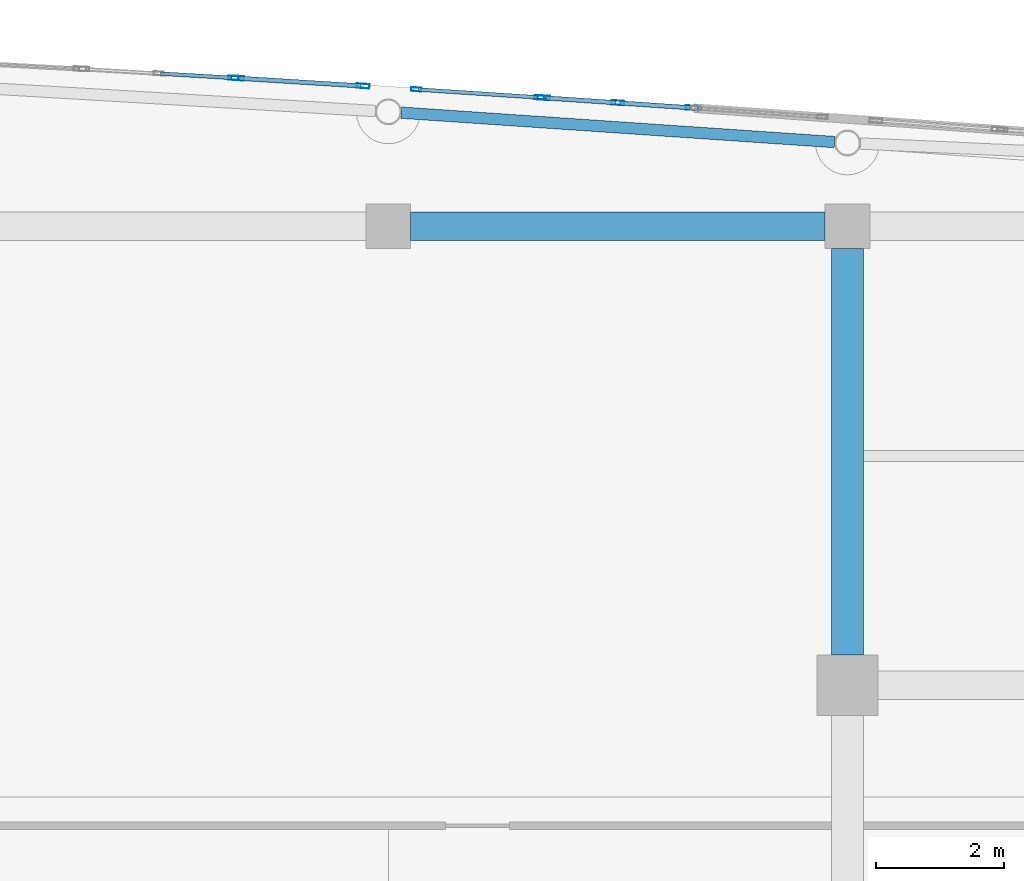
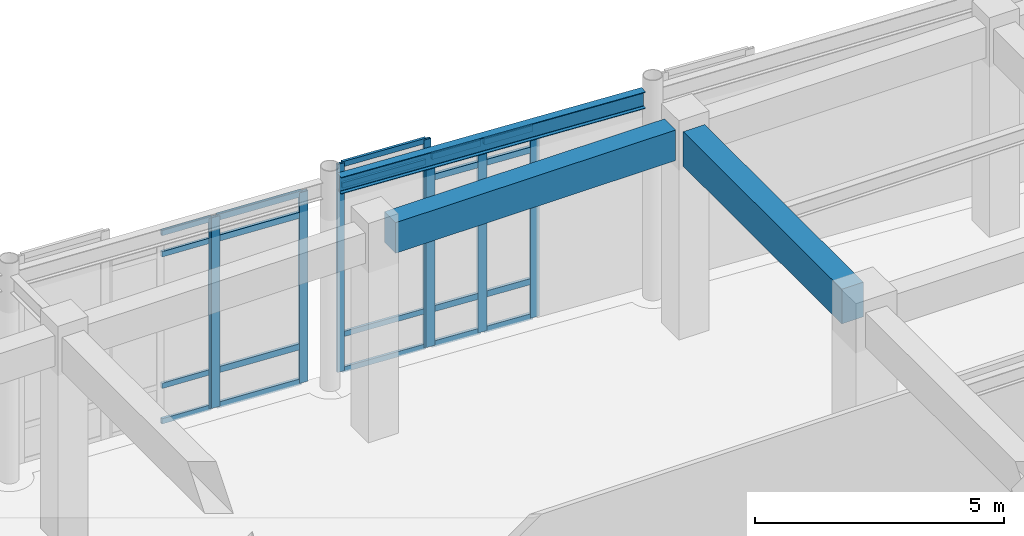
# One storey, part 51 of 102: 28 members, 3 beams, 4 elements without a shape of their own.
"""IFC4 building model written with IfcOpenShell, lengths in metres."""

from ifc_helpers import new_model, si_unit, direction, frame, origin, origin_2d, place, context, subcontext, project, spatial, rectangle, hollow_rectangle, i_section, extrude, material, layer, layer_set, material_profile, profile_set, type_object, element, aggregate, save


model = new_model("IFC4")

# Units and contexts
model_context = context("Model", 3, precision=1e-05, world=origin(), true_north=direction((0.0, 1.0)))
body_context = subcontext(model_context, "Body", "Model", "MODEL_VIEW")
ifc_project = project(units=[si_unit("LENGTHUNIT", "METRE"), si_unit("AREAUNIT", "SQUARE_METRE"), si_unit("VOLUMEUNIT", "CUBIC_METRE"), si_unit("PLANEANGLEUNIT", "RADIAN"), si_unit("MASSUNIT", "GRAM", prefix="KILO")], contexts=[model_context])

# Site, building, storey
site_placement = place(None, origin())
site = spatial("IfcSite", under=ifc_project, at=site_placement, CompositionType="ELEMENT")
building_placement = place(site_placement, origin())
building = spatial("IfcBuilding", under=site, at=building_placement, Name="Carrowvane Square Congress Hotel", CompositionType="ELEMENT")
storey_placement = place(building_placement, origin())
storey = spatial("IfcBuildingStorey", under=building, at=storey_placement, Name="L00", CompositionType="ELEMENT", Elevation=0.0)

# Beams
ifc_material_1 = material(Name="Concrete C35/45", Category="concrete")
ifc_material_profile_1 = material_profile(ifc_material_1, rectangle(XDim=0.449951171875, YDim=0.75, at=origin_2d()), Name="RC 450x750")
ifc_profile_set_1 = profile_set([ifc_material_profile_1], Name="Concrete C35/45")
beam_type_1 = type_object("IfcBeamType", Name="BM-RC-450x750", PredefinedType="USERDEFINED", material=ifc_profile_set_1)
beam_1_placement = place(storey_placement, frame((127.14990234375, 113.39990234375, 4.72509765625), z_axis=(1.0, 0.0, 0.0), x_axis=(0.0, 1.0, 0.0)))
element("IfcBeam", 1, at=beam_1_placement, inside=storey, type_object=beam_type_1, Name="L01 girder R/17-18", ObjectType="GIRDER", PredefinedType="USERDEFINED", context=body_context, shape_type="SweptSolid", body=[
    extrude(rectangle(XDim=0.449951171875, YDim=0.75, at=origin_2d()), origin(), (0.0, 0.0, 1.0), 6.5),
])
ifc_material_2 = material(Name="Concrete C35/45", Category="concrete")
ifc_material_profile_2 = material_profile(ifc_material_2, rectangle(XDim=0.5, YDim=0.85009765625, at=origin_2d()), Name="RC 500x850")
ifc_profile_set_2 = profile_set([ifc_material_profile_2], Name="Concrete C35/45")
beam_type_2 = type_object("IfcBeamType", Name="BM-RC-500x850", PredefinedType="USERDEFINED", material=ifc_profile_set_2)
beam_2_placement = place(storey_placement, frame((134.0, 106.675048828125, 4.675048828125), z_axis=(0.0, 1.0, 0.0), x_axis=(-1.0, 0.0, 0.0)))
element("IfcBeam", 2, at=beam_2_placement, inside=storey, type_object=beam_type_2, Name="L01 girder 18/Q-R", ObjectType="GIRDER", PredefinedType="USERDEFINED", context=body_context, shape_type="SweptSolid", body=[
    extrude(rectangle(XDim=0.5, YDim=0.85009765625, at=origin_2d()), origin(), (0.0, 0.0, 1.0), 6.375),
])
ifc_material_3 = material(Name="Steel S355", Category="steel")
ifc_material_profile_3 = material_profile(ifc_material_3, i_section(OverallWidth=0.1787109375, OverallDepth=0.409423828125, WebThickness=0.0087890625, FlangeThickness=0.014404296875, FilletRadius=0.01025390625, at=origin_2d()), Name="UKB 406x178x67")
ifc_profile_set_3 = profile_set([ifc_material_profile_3], Name="Steel S355")
beam_type_3 = type_object("IfcBeamType", Name="BM-ST-UKB406", PredefinedType="BEAM", material=ifc_profile_set_3)
beam_3_placement = place(storey_placement, frame((127.002685546875, 115.1806640625, 4.895263671875), z_axis=(0.997706912919, -0.067682463857, 0.0), x_axis=(0.067682463857, 0.997706912919, 0.0)))
element("IfcBeam", 3, at=beam_3_placement, inside=storey, type_object=beam_type_3, Name="L01 curved north spandrel", PredefinedType="BEAM", context=body_context, shape_type="SweptSolid", body=[
    extrude(i_section(OverallWidth=0.1787109375, OverallDepth=0.409423828125, WebThickness=0.0087890625, FlangeThickness=0.014404296875, FilletRadius=0.01025390625, at=origin_2d()), origin(), (0.0, 0.0, 1.0), 6.810302734375),
])

# Curtain wall, member
ifc_material_4 = material(Name="Anodised aluminium", Category="aluminium")
ifc_layer_1 = layer(ifc_material_4, 0.2099609375)
ifc_layer_set_1 = layer_set([ifc_layer_1], Name="Anodised aluminium")
curtain_wall_type_1 = type_object("IfcCurtainWallType", Name="CW-SYS-5", PredefinedType="NOTDEFINED", material=ifc_layer_set_1)
curtain_wall_1_placement = place(storey_placement, origin())
curtain_wall_1 = element("IfcCurtainWall", 4, at=curtain_wall_1_placement, inside=storey, type_object=curtain_wall_type_1, Name="L00 unitised curtain wall 36", PredefinedType="NOTDEFINED")
ifc_material_5 = material(Name="Anodised aluminium", Category="aluminium")
ifc_material_profile_4 = material_profile(ifc_material_5, hollow_rectangle(XDim=0.06005859375, YDim=0.159912109375, WallThickness=0.00390625, at=origin_2d()), Name="CW-ML 60x160x4")
ifc_profile_set_4 = profile_set([ifc_material_profile_4], Name="Anodised aluminium")
member_type_1 = type_object("IfcMemberType", Name="CW-MUL-1", PredefinedType="MULLION", material=ifc_profile_set_4)
member_1_placement = place(storey_placement, frame((124.3701171875, 115.72607421875, 0.0), z_axis=(0.0, 0.0, 1.0), x_axis=(0.058851249486, 0.998266763162, 0.0)))
member_1 = element("IfcMember", 5, at=member_1_placement, type_object=member_type_1, Name="CW-5 mullion 3", PredefinedType="MULLION", context=body_context, shape_type="SweptSolid", body=[
    extrude(hollow_rectangle(XDim=0.06005859375, YDim=0.159912109375, WallThickness=0.00390625, at=origin_2d()), origin(), (0.0, 0.0, 1.0), 4.675537109375),
])

# Curtain wall, members
ifc_material_6 = material(Name="Anodised aluminium", Category="aluminium")
ifc_layer_2 = layer(ifc_material_6, 0.23388671875)
ifc_layer_set_2 = layer_set([ifc_layer_2], Name="Anodised aluminium")
curtain_wall_type_2 = type_object("IfcCurtainWallType", Name="CW-SYS-7", PredefinedType="NOTDEFINED", material=ifc_layer_set_2)
curtain_wall_2_placement = place(storey_placement, origin())
curtain_wall_2 = element("IfcCurtainWall", 6, at=curtain_wall_2_placement, inside=storey, type_object=curtain_wall_type_2, Name="L00 unitised curtain wall 38", PredefinedType="NOTDEFINED")
member_2_placement = place(storey_placement, frame((127.23828125, 115.545654296875, 0.0), z_axis=(0.0, 0.0, 1.0), x_axis=(0.065413941589, 0.9978582145, 0.0)))
member_2 = element("IfcMember", 7, at=member_2_placement, type_object=member_type_1, Name="CW-7 mullion 1", PredefinedType="MULLION", context=body_context, shape_type="SweptSolid", body=[
    extrude(hollow_rectangle(XDim=0.06005859375, YDim=0.159912109375, WallThickness=0.00390625, at=origin_2d()), origin(), (0.0, 0.0, 1.0), 5.10009765625),
])
member_3_placement = place(storey_placement, frame((129.170166015625, 115.4189453125, 0.0), z_axis=(0.0, 0.0, 1.0), x_axis=(0.065413941589, 0.9978582145, 0.0)))
member_3 = element("IfcMember", 8, at=member_3_placement, type_object=member_type_1, Name="CW-7 mullion 2", PredefinedType="MULLION", context=body_context, shape_type="SweptSolid", body=[
    extrude(hollow_rectangle(XDim=0.06005859375, YDim=0.159912109375, WallThickness=0.00390625, at=origin_2d()), origin(), (0.0, 0.0, 1.0), 5.10009765625),
])

ifc_material_7 = material(Name="Anodised aluminium", Category="aluminium")
ifc_layer_3 = layer(ifc_material_7, 0.221923828125)
ifc_layer_set_3 = layer_set([ifc_layer_3], Name="Anodised aluminium")
curtain_wall_type_3 = type_object("IfcCurtainWallType", Name="CW-SYS-6", PredefinedType="NOTDEFINED", material=ifc_layer_set_3)
curtain_wall_3_placement = place(storey_placement, origin())
curtain_wall_3 = element("IfcCurtainWall", 9, at=curtain_wall_3_placement, inside=storey, type_object=curtain_wall_type_3, Name="L00 unitised curtain wall 37", PredefinedType="NOTDEFINED")
ifc_material_8 = material(Name="Anodised aluminium", Category="aluminium")
ifc_material_profile_5 = material_profile(ifc_material_8, hollow_rectangle(XDim=0.070068359375, YDim=0.199951171875, WallThickness=0.0048828125, at=origin_2d()), Name="CW-ML 70x200x5")
ifc_profile_set_5 = profile_set([ifc_material_profile_5], Name="Anodised aluminium")
member_type_2 = type_object("IfcMemberType", Name="CW-MUL-2", PredefinedType="MULLION", material=ifc_profile_set_5)
member_4_placement = place(storey_placement, frame((124.434814453125, 115.72216796875, 0.0), z_axis=(0.0, 0.0, 1.0), x_axis=(0.062397170272, 0.998051398046, 0.0)))
member_4 = element("IfcMember", 10, at=member_4_placement, type_object=member_type_2, Name="CW-6 mullion 1", PredefinedType="MULLION", context=body_context, shape_type="SweptSolid", body=[
    extrude(hollow_rectangle(XDim=0.070068359375, YDim=0.199951171875, WallThickness=0.0048828125, at=origin_2d()), origin(), (0.0, 0.0, 1.0), 4.675537109375),
])
member_5_placement = place(storey_placement, frame((126.405029296875, 115.598876953125, 0.0), z_axis=(0.0, 0.0, 1.0), x_axis=(0.062397170272, 0.998051398046, 0.0)))
member_5 = element("IfcMember", 11, at=member_5_placement, type_object=member_type_2, Name="CW-6 mullion 2", PredefinedType="MULLION", context=body_context, shape_type="SweptSolid", body=[
    extrude(hollow_rectangle(XDim=0.070068359375, YDim=0.199951171875, WallThickness=0.0048828125, at=origin_2d()), origin(), (0.0, 0.0, 1.0), 4.675537109375),
])

ifc_material_9 = material(Name="Anodised aluminium", Category="aluminium")
ifc_layer_4 = layer(ifc_material_9, 0.24609375)
ifc_layer_set_4 = layer_set([ifc_layer_4], Name="Anodised aluminium")
curtain_wall_type_4 = type_object("IfcCurtainWallType", Name="CW-SYS-8", PredefinedType="NOTDEFINED", material=ifc_layer_set_4)
curtain_wall_4_placement = place(storey_placement, origin())
curtain_wall_4 = element("IfcCurtainWall", 12, at=curtain_wall_4_placement, inside=storey, type_object=curtain_wall_type_4, Name="L00 unitised curtain wall 39", PredefinedType="NOTDEFINED")
member_6_placement = place(storey_placement, frame((129.23486328125, 115.41455078125, 0.0), z_axis=(0.0, 0.0, 1.0), x_axis=(0.067869562107, 0.99769420292, 0.0)))
member_6 = element("IfcMember", 13, at=member_6_placement, type_object=member_type_2, Name="CW-8 mullion 1", PredefinedType="MULLION", context=body_context, shape_type="SweptSolid", body=[
    extrude(hollow_rectangle(XDim=0.070068359375, YDim=0.199951171875, WallThickness=0.0048828125, at=origin_2d()), origin(), (0.0, 0.0, 1.0), 4.675537109375),
])
member_7_placement = place(storey_placement, frame((130.39990234375, 115.33544921875, 0.0), z_axis=(0.0, 0.0, 1.0), x_axis=(0.067869562107, 0.99769420292, 0.0)))
member_7 = element("IfcMember", 14, at=member_7_placement, type_object=member_type_2, Name="CW-8 mullion 2", PredefinedType="MULLION", context=body_context, shape_type="SweptSolid", body=[
    extrude(hollow_rectangle(XDim=0.070068359375, YDim=0.199951171875, WallThickness=0.0048828125, at=origin_2d()), origin(), (0.0, 0.0, 1.0), 4.675537109375),
])
member_8_placement = place(storey_placement, frame((131.56494140625, 115.256103515625, 0.0), z_axis=(0.0, 0.0, 1.0), x_axis=(0.067869562107, 0.99769420292, 0.0)))
member_8 = element("IfcMember", 15, at=member_8_placement, type_object=member_type_2, Name="CW-8 mullion 3", PredefinedType="MULLION", context=body_context, shape_type="SweptSolid", body=[
    extrude(hollow_rectangle(XDim=0.070068359375, YDim=0.199951171875, WallThickness=0.0048828125, at=origin_2d()), origin(), (0.0, 0.0, 1.0), 4.675537109375),
])

# Member
ifc_material_10 = material(Name="Anodised aluminium", Category="aluminium")
ifc_material_profile_6 = material_profile(ifc_material_10, hollow_rectangle(XDim=0.06005859375, YDim=0.1298828125, WallThickness=0.00390625, at=origin_2d()), Name="CW-TR 60x130x4")
ifc_profile_set_6 = profile_set([ifc_material_profile_6], Name="Anodised aluminium")
member_type_3 = type_object("IfcMemberType", Name="CW-TRN-1", PredefinedType="USERDEFINED", material=ifc_profile_set_6)
member_9_placement = place(storey_placement, frame((123.22998046875, 115.793212890625, 0.030029296875), z_axis=(0.998267553014, -0.058837850057, 0.0), x_axis=(0.058837850057, 0.998267553014, 0.0)))
member_9 = element("IfcMember", 16, at=member_9_placement, type_object=member_type_3, Name="CW-5 transom 2.1", ObjectType="TRANSOM", PredefinedType="USERDEFINED", context=body_context, shape_type="SweptSolid", body=[
    extrude(hollow_rectangle(XDim=0.06005859375, YDim=0.1298828125, WallThickness=0.00390625, at=origin_2d()), origin(), (0.0, 0.0, 1.0), 1.112060546875),
])

member_10_placement = place(storey_placement, frame((123.22998046875, 115.793212890625, 0.89990234375), z_axis=(0.998267553014, -0.058837850057, 0.0), x_axis=(0.058837850057, 0.998267553014, 0.0)))
member_10 = element("IfcMember", 17, at=member_10_placement, type_object=member_type_3, Name="CW-5 transom 2.2", ObjectType="TRANSOM", PredefinedType="USERDEFINED", context=body_context, shape_type="SweptSolid", body=[
    extrude(hollow_rectangle(XDim=0.06005859375, YDim=0.1298828125, WallThickness=0.00390625, at=origin_2d()), origin(), (0.0, 0.0, 1.0), 1.112060546875),
])

member_11_placement = place(storey_placement, frame((123.22998046875, 115.793212890625, 4.12548828125), z_axis=(0.998267553014, -0.058837850057, 0.0), x_axis=(0.058837850057, 0.998267553014, 0.0)))
member_11 = element("IfcMember", 18, at=member_11_placement, type_object=member_type_3, Name="CW-5 transom 2.3", ObjectType="TRANSOM", PredefinedType="USERDEFINED", context=body_context, shape_type="SweptSolid", body=[
    extrude(hollow_rectangle(XDim=0.06005859375, YDim=0.1298828125, WallThickness=0.00390625, at=origin_2d()), origin(), (0.0, 0.0, 1.0), 1.112060546875),
])

member_12_placement = place(storey_placement, frame((123.22998046875, 115.793212890625, 4.6455078125), z_axis=(0.998267553014, -0.058837850057, 0.0), x_axis=(0.058837850057, 0.998267553014, 0.0)))
member_12 = element("IfcMember", 19, at=member_12_placement, type_object=member_type_3, Name="CW-5 transom 2.4", ObjectType="TRANSOM", PredefinedType="USERDEFINED", context=body_context, shape_type="SweptSolid", body=[
    extrude(hollow_rectangle(XDim=0.06005859375, YDim=0.1298828125, WallThickness=0.00390625, at=origin_2d()), origin(), (0.0, 0.0, 1.0), 1.112060546875),
])

aggregate(curtain_wall_1, [member_1, member_9, member_10, member_11, member_12])

member_13_placement = place(storey_placement, frame((127.268310546875, 115.543701171875, 0.030029296875), z_axis=(0.997854858908, -0.065465109434, 0.0), x_axis=(0.065465109434, 0.997854858908, 0.0)))
member_13 = element("IfcMember", 20, at=member_13_placement, type_object=member_type_3, Name="CW-7 transom 1.1", ObjectType="TRANSOM", PredefinedType="USERDEFINED", context=body_context, shape_type="SweptSolid", body=[
    extrude(hollow_rectangle(XDim=0.06005859375, YDim=0.1298828125, WallThickness=0.00390625, at=origin_2d()), origin(), (0.0, 0.0, 1.0), 1.875732421875),
])

member_14_placement = place(storey_placement, frame((127.268310546875, 115.543701171875, 0.89990234375), z_axis=(0.997854858908, -0.065465109434, 0.0), x_axis=(0.065465109434, 0.997854858908, 0.0)))
member_14 = element("IfcMember", 21, at=member_14_placement, type_object=member_type_3, Name="CW-7 transom 1.2", ObjectType="TRANSOM", PredefinedType="USERDEFINED", context=body_context, shape_type="SweptSolid", body=[
    extrude(hollow_rectangle(XDim=0.06005859375, YDim=0.1298828125, WallThickness=0.00390625, at=origin_2d()), origin(), (0.0, 0.0, 1.0), 1.875732421875),
])

member_15_placement = place(storey_placement, frame((127.268310546875, 115.543701171875, 4.550048828125), z_axis=(0.997854858908, -0.065465109434, 0.0), x_axis=(0.065465109434, 0.997854858908, 0.0)))
member_15 = element("IfcMember", 22, at=member_15_placement, type_object=member_type_3, Name="CW-7 transom 1.3", ObjectType="TRANSOM", PredefinedType="USERDEFINED", context=body_context, shape_type="SweptSolid", body=[
    extrude(hollow_rectangle(XDim=0.06005859375, YDim=0.1298828125, WallThickness=0.00390625, at=origin_2d()), origin(), (0.0, 0.0, 1.0), 1.875732421875),
])

member_16_placement = place(storey_placement, frame((127.268310546875, 115.543701171875, 5.070068359375), z_axis=(0.997854858908, -0.065465109434, 0.0), x_axis=(0.065465109434, 0.997854858908, 0.0)))
member_16 = element("IfcMember", 23, at=member_16_placement, type_object=member_type_3, Name="CW-7 transom 1.4", ObjectType="TRANSOM", PredefinedType="USERDEFINED", context=body_context, shape_type="SweptSolid", body=[
    extrude(hollow_rectangle(XDim=0.06005859375, YDim=0.1298828125, WallThickness=0.00390625, at=origin_2d()), origin(), (0.0, 0.0, 1.0), 1.875732421875),
])

aggregate(curtain_wall_2, [member_2, member_3, member_13, member_14, member_15, member_16])

ifc_material_11 = material(Name="Anodised aluminium", Category="aluminium")
ifc_material_profile_7 = material_profile(ifc_material_11, hollow_rectangle(XDim=0.070068359375, YDim=0.14990234375, WallThickness=0.0048828125, at=origin_2d()), Name="CW-TR 70x150x5")
ifc_profile_set_7 = profile_set([ifc_material_profile_7], Name="Anodised aluminium")
member_type_4 = type_object("IfcMemberType", Name="CW-TRN-2", PredefinedType="USERDEFINED", material=ifc_profile_set_7)
member_17_placement = place(storey_placement, frame((124.469970703125, 115.719970703125, 0.034912109375), z_axis=(0.998048085199, -0.062450137157, 0.0), x_axis=(0.062450137157, 0.998048085199, 0.0)))
member_17 = element("IfcMember", 24, at=member_17_placement, type_object=member_type_4, Name="CW-6 transom 1.1", ObjectType="TRANSOM", PredefinedType="USERDEFINED", context=body_context, shape_type="SweptSolid", body=[
    extrude(hollow_rectangle(XDim=0.070068359375, YDim=0.14990234375, WallThickness=0.0048828125, at=origin_2d()), origin(), (0.0, 0.0, 1.0), 1.90380859375),
])

member_18_placement = place(storey_placement, frame((124.469970703125, 115.719970703125, 0.89990234375), z_axis=(0.998048085199, -0.062450137157, 0.0), x_axis=(0.062450137157, 0.998048085199, 0.0)))
member_18 = element("IfcMember", 25, at=member_18_placement, type_object=member_type_4, Name="CW-6 transom 1.2", ObjectType="TRANSOM", PredefinedType="USERDEFINED", context=body_context, shape_type="SweptSolid", body=[
    extrude(hollow_rectangle(XDim=0.070068359375, YDim=0.14990234375, WallThickness=0.0048828125, at=origin_2d()), origin(), (0.0, 0.0, 1.0), 1.90380859375),
])

member_19_placement = place(storey_placement, frame((124.469970703125, 115.719970703125, 4.12548828125), z_axis=(0.998048085199, -0.062450137157, 0.0), x_axis=(0.062450137157, 0.998048085199, 0.0)))
member_19 = element("IfcMember", 26, at=member_19_placement, type_object=member_type_4, Name="CW-6 transom 1.3", ObjectType="TRANSOM", PredefinedType="USERDEFINED", context=body_context, shape_type="SweptSolid", body=[
    extrude(hollow_rectangle(XDim=0.070068359375, YDim=0.14990234375, WallThickness=0.0048828125, at=origin_2d()), origin(), (0.0, 0.0, 1.0), 1.90380859375),
])

member_20_placement = place(storey_placement, frame((124.469970703125, 115.719970703125, 4.640625), z_axis=(0.998048085199, -0.062450137157, 0.0), x_axis=(0.062450137157, 0.998048085199, 0.0)))
member_20 = element("IfcMember", 27, at=member_20_placement, type_object=member_type_4, Name="CW-6 transom 1.4", ObjectType="TRANSOM", PredefinedType="USERDEFINED", context=body_context, shape_type="SweptSolid", body=[
    extrude(hollow_rectangle(XDim=0.070068359375, YDim=0.14990234375, WallThickness=0.0048828125, at=origin_2d()), origin(), (0.0, 0.0, 1.0), 1.90380859375),
])

aggregate(curtain_wall_3, [member_4, member_5, member_17, member_18, member_19, member_20])

member_21_placement = place(storey_placement, frame((129.269775390625, 115.412109375, 0.034912109375), z_axis=(0.997696709768, -0.067832700954, 0.0), x_axis=(0.067832700954, 0.997696709768, 0.0)))
member_21 = element("IfcMember", 28, at=member_21_placement, type_object=member_type_4, Name="CW-8 transom 1.1", ObjectType="TRANSOM", PredefinedType="USERDEFINED", context=body_context, shape_type="SweptSolid", body=[
    extrude(hollow_rectangle(XDim=0.070068359375, YDim=0.14990234375, WallThickness=0.0048828125, at=origin_2d()), origin(), (0.0, 0.0, 1.0), 1.09765625),
])

member_22_placement = place(storey_placement, frame((129.269775390625, 115.412109375, 0.89990234375), z_axis=(0.997696709768, -0.067832700954, 0.0), x_axis=(0.067832700954, 0.997696709768, 0.0)))
member_22 = element("IfcMember", 29, at=member_22_placement, type_object=member_type_4, Name="CW-8 transom 1.2", ObjectType="TRANSOM", PredefinedType="USERDEFINED", context=body_context, shape_type="SweptSolid", body=[
    extrude(hollow_rectangle(XDim=0.070068359375, YDim=0.14990234375, WallThickness=0.0048828125, at=origin_2d()), origin(), (0.0, 0.0, 1.0), 1.09765625),
])

member_23_placement = place(storey_placement, frame((129.269775390625, 115.412109375, 4.12548828125), z_axis=(0.997696709768, -0.067832700954, 0.0), x_axis=(0.067832700954, 0.997696709768, 0.0)))
member_23 = element("IfcMember", 30, at=member_23_placement, type_object=member_type_4, Name="CW-8 transom 1.3", ObjectType="TRANSOM", PredefinedType="USERDEFINED", context=body_context, shape_type="SweptSolid", body=[
    extrude(hollow_rectangle(XDim=0.070068359375, YDim=0.14990234375, WallThickness=0.0048828125, at=origin_2d()), origin(), (0.0, 0.0, 1.0), 1.09765625),
])

member_24_placement = place(storey_placement, frame((129.269775390625, 115.412109375, 4.640625), z_axis=(0.997696709768, -0.067832700954, 0.0), x_axis=(0.067832700954, 0.997696709768, 0.0)))
member_24 = element("IfcMember", 31, at=member_24_placement, type_object=member_type_4, Name="CW-8 transom 1.4", ObjectType="TRANSOM", PredefinedType="USERDEFINED", context=body_context, shape_type="SweptSolid", body=[
    extrude(hollow_rectangle(XDim=0.070068359375, YDim=0.14990234375, WallThickness=0.0048828125, at=origin_2d()), origin(), (0.0, 0.0, 1.0), 1.09765625),
])

member_25_placement = place(storey_placement, frame((130.434814453125, 115.3330078125, 0.034912109375), z_axis=(0.997696709768, -0.067832700954, 0.0), x_axis=(0.067832700954, 0.997696709768, 0.0)))
member_25 = element("IfcMember", 32, at=member_25_placement, type_object=member_type_4, Name="CW-8 transom 2.1", ObjectType="TRANSOM", PredefinedType="USERDEFINED", context=body_context, shape_type="SweptSolid", body=[
    extrude(hollow_rectangle(XDim=0.070068359375, YDim=0.14990234375, WallThickness=0.0048828125, at=origin_2d()), origin(), (0.0, 0.0, 1.0), 1.09765625),
])

member_26_placement = place(storey_placement, frame((130.434814453125, 115.3330078125, 0.89990234375), z_axis=(0.997696709768, -0.067832700954, 0.0), x_axis=(0.067832700954, 0.997696709768, 0.0)))
member_26 = element("IfcMember", 33, at=member_26_placement, type_object=member_type_4, Name="CW-8 transom 2.2", ObjectType="TRANSOM", PredefinedType="USERDEFINED", context=body_context, shape_type="SweptSolid", body=[
    extrude(hollow_rectangle(XDim=0.070068359375, YDim=0.14990234375, WallThickness=0.0048828125, at=origin_2d()), origin(), (0.0, 0.0, 1.0), 1.09765625),
])

member_27_placement = place(storey_placement, frame((130.434814453125, 115.3330078125, 4.12548828125), z_axis=(0.997696709768, -0.067832700954, 0.0), x_axis=(0.067832700954, 0.997696709768, 0.0)))
member_27 = element("IfcMember", 34, at=member_27_placement, type_object=member_type_4, Name="CW-8 transom 2.3", ObjectType="TRANSOM", PredefinedType="USERDEFINED", context=body_context, shape_type="SweptSolid", body=[
    extrude(hollow_rectangle(XDim=0.070068359375, YDim=0.14990234375, WallThickness=0.0048828125, at=origin_2d()), origin(), (0.0, 0.0, 1.0), 1.09765625),
])

member_28_placement = place(storey_placement, frame((130.434814453125, 115.3330078125, 4.640625), z_axis=(0.997696709768, -0.067832700954, 0.0), x_axis=(0.067832700954, 0.997696709768, 0.0)))
member_28 = element("IfcMember", 35, at=member_28_placement, type_object=member_type_4, Name="CW-8 transom 2.4", ObjectType="TRANSOM", PredefinedType="USERDEFINED", context=body_context, shape_type="SweptSolid", body=[
    extrude(hollow_rectangle(XDim=0.070068359375, YDim=0.14990234375, WallThickness=0.0048828125, at=origin_2d()), origin(), (0.0, 0.0, 1.0), 1.09765625),
])

aggregate(curtain_wall_4, [member_6, member_7, member_8, member_21, member_22, member_23, member_24, member_25, member_26, member_27, member_28])

save(model, "model.ifc")
